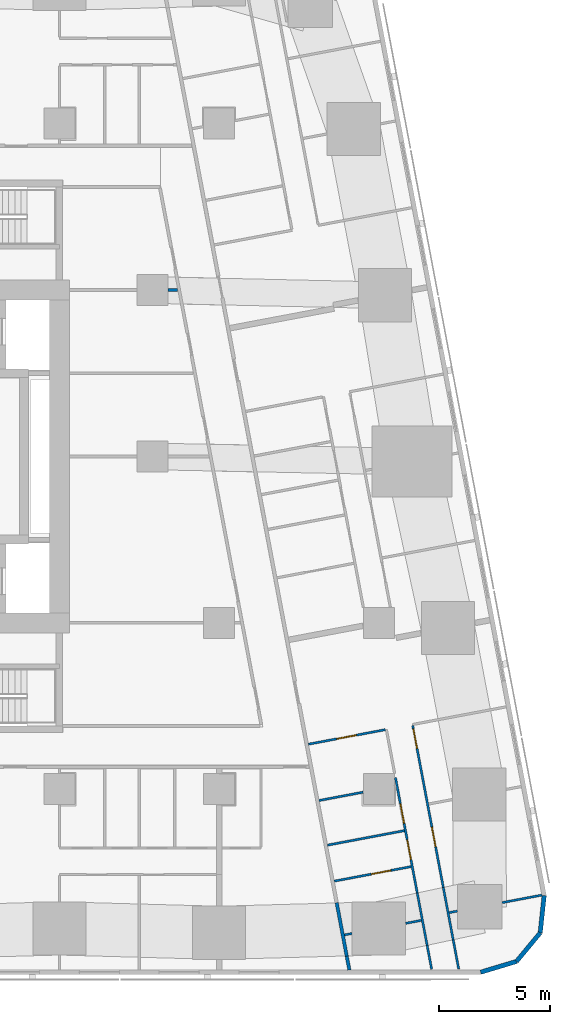
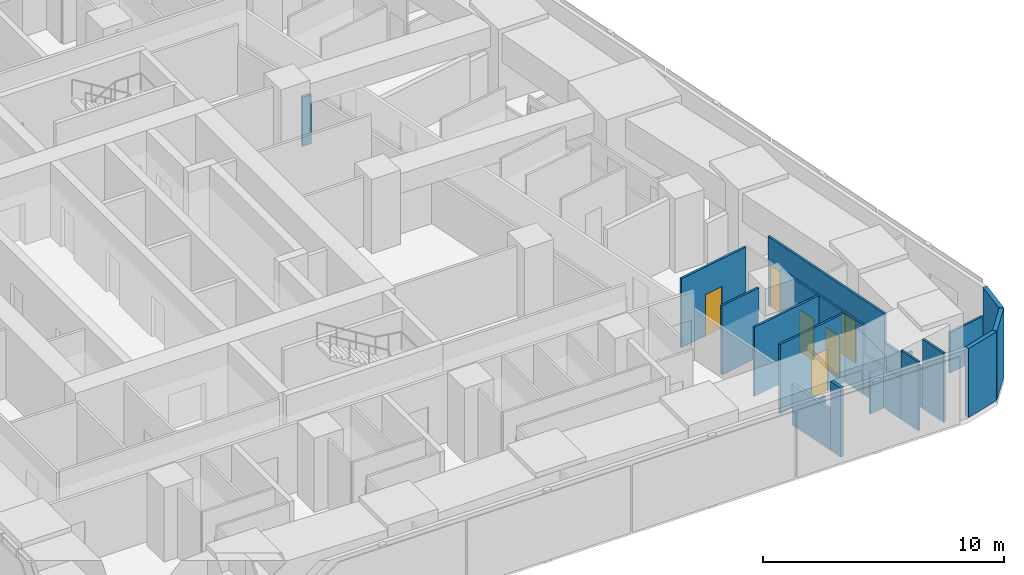
# One storey, part 10 of 17: 20 walls, 6 doors, 6 openings.
"""IFC4 building model written with IfcOpenShell, lengths in metres."""

from ifc_helpers import new_model, si_unit, direction, frame, frame_2d, origin, place, context, subcontext, project, spatial, rectangle, extrude, material, layer, layer_set, type_object, element, fill, save


model = new_model("IFC4")

# Units and contexts
model_context = context("Model", 3, precision=1e-05, world=origin(), true_north=direction((0.0, 1.0)))
body_context = subcontext(model_context, "Body", "Model", "MODEL_VIEW")
ifc_project = project(units=[si_unit("LENGTHUNIT", "METRE"), si_unit("AREAUNIT", "SQUARE_METRE"), si_unit("VOLUMEUNIT", "CUBIC_METRE"), si_unit("PLANEANGLEUNIT", "RADIAN"), si_unit("MASSUNIT", "GRAM", prefix="KILO")], contexts=[model_context])

# Site, building, storey
site_placement = place(None, origin())
site = spatial("IfcSite", under=ifc_project, at=site_placement, CompositionType="ELEMENT")
building_placement = place(site_placement, origin())
building = spatial("IfcBuilding", under=site, at=building_placement, Name="Sheger Commons Tower", CompositionType="ELEMENT")
storey_placement = place(building_placement, frame((0.0, 0.0, 212.449951171875)))
storey = spatial("IfcBuildingStorey", under=building, at=storey_placement, Name="L54", CompositionType="ELEMENT", Elevation=212.449951171875)

# Walls
ifc_material_1 = material(Name="Hollow concrete block masonry, skimmed both sides", Category="masonry")
ifc_layer_1 = layer(ifc_material_1, 0.14990234375)
ifc_layer_set_1 = layer_set([ifc_layer_1], Name="CORRIDOR WALL 150")
wall_type_1 = type_object("IfcWallType", Name="CORRIDOR WALL 150", PredefinedType="SOLIDWALL", material=ifc_layer_set_1)
wall_1_placement = place(storey_placement, frame((41.299072265625, 2.385009765625, 0.0), z_axis=(0.0, 0.0, 1.0), x_axis=(0.18529731833, -0.982682504077, 0.0)))
element("IfcWall", 1, at=wall_1_placement, inside=storey, type_object=wall_type_1, Name="Corridor wall L54", PredefinedType="SOLIDWALL", context=body_context, shape_type="SweptSolid", body=[
    extrude(rectangle(XDim=2.45458984375, YDim=0.14990234375, at=frame_2d((1.227294921875, 0.0))), origin(), (0.0, 0.0, 1.0), 2.050048828125),
])
wall_2_placement = place(storey_placement, frame((41.75390625, -0.027099609375, 0.0), z_axis=(0.0, 0.0, 1.0), x_axis=(0.186404157015, -0.982473149886, 0.0)))
element("IfcWall", 2, at=wall_2_placement, inside=storey, type_object=wall_type_1, Name="Corridor wall L54", PredefinedType="SOLIDWALL", context=body_context, shape_type="SweptSolid", body=[
    extrude(rectangle(XDim=0.634033203125, YDim=0.14990234375, at=frame_2d((0.31689453125, 0.0))), origin(), (0.0, 0.0, 1.0), 3.5),
])
ifc_material_2 = material(Name="Rendered concrete block masonry, dark grey", Category="masonry")
ifc_layer_2 = layer(ifc_material_2, 0.199951171875)
ifc_layer_set_2 = layer_set([ifc_layer_2], Name="FACADE WALL 200")
wall_type_2 = type_object("IfcWallType", Name="FACADE WALL 200", PredefinedType="SOLIDWALL", material=ifc_layer_set_2)
wall_3_placement = place(storey_placement, frame((47.791015625, -0.75, 0.0), z_axis=(0.0, 0.0, 1.0), x_axis=(0.957455232626, 0.288581838509, 0.0)))
element("IfcWall", 3, at=wall_3_placement, inside=storey, type_object=wall_type_2, Name="Facade wall L54", PredefinedType="SOLIDWALL", context=body_context, shape_type="SweptSolid", body=[
    extrude(rectangle(XDim=1.687744140625, YDim=0.199951171875, at=frame_2d((0.84375, 0.0))), origin(), (0.0, 0.0, 1.0), 3.5),
])
wall_4_placement = place(storey_placement, frame((49.406982421875, -0.262939453125, 0.0), z_axis=(0.0, 0.0, 1.0), x_axis=(0.638042593423, 0.770001070764, 0.0)))
element("IfcWall", 4, at=wall_4_placement, inside=storey, type_object=wall_type_2, Name="Facade wall L54", PredefinedType="SOLIDWALL", context=body_context, shape_type="SweptSolid", body=[
    extrude(rectangle(XDim=1.672607421875, YDim=0.199951171875, at=frame_2d((0.83642578125, 0.0))), origin(), (0.0, 0.0, 1.0), 3.5),
])
wall_5_placement = place(storey_placement, frame((50.47412109375, 1.02490234375, 0.0), z_axis=(0.0, 0.0, 1.0), x_axis=(0.106047815515, 0.994361031429, 0.0)))
element("IfcWall", 5, at=wall_5_placement, inside=storey, type_object=wall_type_2, Name="Facade wall L54", PredefinedType="SOLIDWALL", context=body_context, shape_type="SweptSolid", body=[
    extrude(rectangle(XDim=1.6875, YDim=0.199951171875, at=frame_2d((0.84375, 0.0))), origin(), (0.0, 0.0, 1.0), 3.5),
])

# Wall, openings, doors
ifc_material_3 = material(Name="Gypsum board on steel studs", Category="steel")
ifc_layer_3 = layer(ifc_material_3, 0.10009765625)
ifc_layer_set_3 = layer_set([ifc_layer_3], Name="PARTITION 100")
wall_type_3 = type_object("IfcWallType", Name="PARTITION 100", PredefinedType="PARTITIONING", material=ifc_layer_set_3)
wall_6_placement = place(storey_placement, frame((44.72705078125, 10.365966796875, 0.0), z_axis=(0.0, 0.0, 1.0), x_axis=(0.185678775129, -0.982610498858, 0.0)))
wall_6 = element("IfcWall", 6, at=wall_6_placement, inside=storey, type_object=wall_type_3, Name="Partition L54", PredefinedType="PARTITIONING", context=body_context, shape_type="SweptSolid", body=[
    extrude(rectangle(XDim=7.421142578125, YDim=0.10009765625, at=frame_2d((3.71044921875, 0.0))), origin(), (0.0, 0.0, 1.0), 3.5),
])
opening_1_placement = place(wall_6_placement, frame((0.15087890625, 0.0, 0.0)))
opening_1 = element("IfcOpeningElement", 7, at=opening_1_placement, cuts=wall_6, Name="Opening D2", PredefinedType="OPENING", context=body_context, shape_type="SweptSolid", body=[
    extrude(rectangle(XDim=0.89990234375, YDim=2.10009765625, at=frame_2d((0.449951171875, 1.050048828125))), frame((0.0, 0.06005859375, 0.0), z_axis=(0.0, -1.0, 0.0), x_axis=(1.0, 0.0, 0.0)), (0.0, 0.0, 1.0), 0.1201171875),
])
opening_2_placement = place(wall_6_placement, frame((4.64990234375, 0.0, 0.0)))
opening_2 = element("IfcOpeningElement", 8, at=opening_2_placement, cuts=wall_6, Name="Opening D2", PredefinedType="OPENING", context=body_context, shape_type="SweptSolid", body=[
    extrude(rectangle(XDim=0.89990234375, YDim=2.10009765625, at=frame_2d((0.449951171875, 1.050048828125))), frame((0.0, 0.06005859375, 0.0), z_axis=(0.0, -1.0, 0.0), x_axis=(1.0, 0.0, 0.0)), (0.0, 0.0, 1.0), 0.1201171875),
])
ifc_material_4 = material(Name="Timber door set", Category="wood")
door_type = type_object("IfcDoorType", Name="INTERNAL DOOR 900x2100", OperationType="NOTDEFINED", PredefinedType="DOOR", material=ifc_material_4)
door_1_placement = place(opening_1_placement, origin())
door_1 = element("IfcDoor", 9, at=door_1_placement, inside=storey, type_object=door_type, Name="Main bedroom door", OperationType="SINGLE_SWING_LEFT", OverallHeight=2.10009765625, OverallWidth=0.89990234375, PredefinedType="DOOR", context=body_context, shape_type="SweptSolid", body=[
    extrude(rectangle(XDim=0.89990234375, YDim=2.10009765625, at=frame_2d((0.449951171875, 1.050048828125))), frame((0.0, 0.02490234375, 0.0), z_axis=(0.0, -1.0, 0.0), x_axis=(1.0, 0.0, 0.0)), (0.0, 0.0, 1.0), 0.050048828125),
])
fill(opening_1, door_1)
door_2_placement = place(opening_2_placement, origin())
door_2 = element("IfcDoor", 10, at=door_2_placement, inside=storey, type_object=door_type, Name="Bedroom 2 door", OperationType="SINGLE_SWING_LEFT", OverallHeight=2.10009765625, OverallWidth=0.89990234375, PredefinedType="DOOR", context=body_context, shape_type="SweptSolid", body=[
    extrude(rectangle(XDim=0.89990234375, YDim=2.10009765625, at=frame_2d((0.449951171875, 1.050048828125))), frame((0.0, 0.02490234375, 0.0), z_axis=(0.0, -1.0, 0.0), x_axis=(1.0, 0.0, 0.0)), (0.0, 0.0, 1.0), 0.050048828125),
])
fill(opening_2, door_2)

# Walls
wall_7_placement = place(storey_placement, frame((46.10498046875, 3.073974609375, 0.0), z_axis=(0.0, 0.0, 1.0), x_axis=(0.185631845838, -0.982619365681, 0.0)))
element("IfcWall", 11, at=wall_7_placement, inside=storey, type_object=wall_type_3, Name="Partition L54", PredefinedType="PARTITIONING", context=body_context, shape_type="SweptSolid", body=[
    extrude(rectangle(XDim=2.40283203125, YDim=0.10009765625, at=frame_2d((1.201416015625, 0.0))), origin(), (0.0, 0.0, 1.0), 2.050048828125),
])
wall_8_placement = place(storey_placement, frame((46.551025390625, 0.712890625, 0.0), z_axis=(0.0, 0.0, 1.0), x_axis=(0.185407859198, -0.982661653748, 0.0)))
element("IfcWall", 12, at=wall_8_placement, inside=storey, type_object=wall_type_3, Name="Partition L54", PredefinedType="PARTITIONING", context=body_context, shape_type="SweptSolid", body=[
    extrude(rectangle(XDim=1.343017578125, YDim=0.10009765625, at=frame_2d((0.67138671875, 0.0))), origin(), (0.0, 0.0, 1.0), 3.5),
])

# Wall, openings, doors
wall_9_placement = place(storey_placement, frame((43.948974609375, 8.02001953125, 0.0), z_axis=(0.0, 0.0, 1.0), x_axis=(0.185656792073, -0.982614652627, 0.0)))
wall_9 = element("IfcWall", 13, at=wall_9_placement, inside=storey, type_object=wall_type_3, Name="Partition L54", PredefinedType="PARTITIONING", context=body_context, shape_type="SweptSolid", body=[
    extrude(rectangle(XDim=5.2890625, YDim=0.10009765625, at=frame_2d((2.64453125, 0.0))), origin(), (0.0, 0.0, 1.0), 3.5),
])
opening_3_placement = place(wall_9_placement, frame((1.199951171875, 0.0, 0.0)))
opening_3 = element("IfcOpeningElement", 14, at=opening_3_placement, cuts=wall_9, Name="Opening D2", PredefinedType="OPENING", context=body_context, shape_type="SweptSolid", body=[
    extrude(rectangle(XDim=0.89990234375, YDim=2.10009765625, at=frame_2d((0.449951171875, 1.050048828125))), frame((0.0, 0.06005859375, 0.0), z_axis=(0.0, -1.0, 0.0), x_axis=(1.0, 0.0, 0.0)), (0.0, 0.0, 1.0), 0.1201171875),
])
opening_4_placement = place(wall_9_placement, frame((2.85498046875, 0.0, 0.0)))
opening_4 = element("IfcOpeningElement", 15, at=opening_4_placement, cuts=wall_9, Name="Opening D2", PredefinedType="OPENING", context=body_context, shape_type="SweptSolid", body=[
    extrude(rectangle(XDim=0.89990234375, YDim=2.10009765625, at=frame_2d((0.449951171875, 1.050048828125))), frame((0.0, 0.06005859375, 0.0), z_axis=(0.0, -1.0, 0.0), x_axis=(1.0, 0.0, 0.0)), (0.0, 0.0, 1.0), 0.1201171875),
])
door_3_placement = place(opening_3_placement, origin())
door_3 = element("IfcDoor", 16, at=door_3_placement, inside=storey, type_object=door_type, Name="Bathroom door", OperationType="SINGLE_SWING_LEFT", OverallHeight=2.10009765625, OverallWidth=0.89990234375, PredefinedType="DOOR", context=body_context, shape_type="SweptSolid", body=[
    extrude(rectangle(XDim=0.89990234375, YDim=2.10009765625, at=frame_2d((0.449951171875, 1.050048828125))), frame((0.0, 0.02490234375, 0.0), z_axis=(0.0, -1.0, 0.0), x_axis=(1.0, 0.0, 0.0)), (0.0, 0.0, 1.0), 0.050048828125),
])
fill(opening_3, door_3)
door_4_placement = place(opening_4_placement, origin())
door_4 = element("IfcDoor", 17, at=door_4_placement, inside=storey, type_object=door_type, Name="Store door", OperationType="SINGLE_SWING_LEFT", OverallHeight=2.10009765625, OverallWidth=0.89990234375, PredefinedType="DOOR", context=body_context, shape_type="SweptSolid", body=[
    extrude(rectangle(XDim=0.89990234375, YDim=2.10009765625, at=frame_2d((0.449951171875, 1.050048828125))), frame((0.0, 0.02490234375, 0.0), z_axis=(0.0, -1.0, 0.0), x_axis=(1.0, 0.0, 0.0)), (0.0, 0.0, 1.0), 0.050048828125),
])
fill(opening_4, door_4)

# Walls
wall_10_placement = place(storey_placement, frame((44.930908203125, 2.822998046875, 0.0), z_axis=(0.0, 0.0, 1.0), x_axis=(0.185631845838, -0.982619365681, 0.0)))
element("IfcWall", 18, at=wall_10_placement, inside=storey, type_object=wall_type_3, Name="Partition L54", PredefinedType="PARTITIONING", context=body_context, shape_type="SweptSolid", body=[
    extrude(rectangle(XDim=2.40283203125, YDim=0.10009765625, at=frame_2d((1.201416015625, 0.0))), origin(), (0.0, 0.0, 1.0), 2.050048828125),
])
wall_11_placement = place(storey_placement, frame((45.376953125, 0.4619140625, 0.0), z_axis=(0.0, 0.0, 1.0), x_axis=(0.185513480919, -0.982641719243, 0.0)))
element("IfcWall", 19, at=wall_11_placement, inside=storey, type_object=wall_type_3, Name="Partition L54", PredefinedType="PARTITIONING", context=body_context, shape_type="SweptSolid", body=[
    extrude(rectangle(XDim=1.094970703125, YDim=0.10009765625, at=frame_2d((0.54736328125, 0.0))), origin(), (0.0, 0.0, 1.0), 3.5),
])
wall_12_placement = place(storey_placement, frame((50.547119140625, 2.72607421875, 0.0), z_axis=(0.0, 0.0, 1.0), x_axis=(-0.982603988143, -0.185713226471, 0.0)))
element("IfcWall", 20, at=wall_12_placement, inside=storey, type_object=wall_type_3, Name="Partition L54", PredefinedType="PARTITIONING", context=body_context, shape_type="SweptSolid", body=[
    extrude(rectangle(XDim=1.82080078125, YDim=0.10009765625, at=frame_2d((0.910400390625, 0.0))), origin(), (0.0, 0.0, 1.0), 2.050048828125),
])
wall_13_placement = place(storey_placement, frame((46.738037109375, 2.006103515625, 0.0), z_axis=(0.0, 0.0, 1.0), x_axis=(-0.982820466874, -0.184564161994, 0.0)))
element("IfcWall", 21, at=wall_13_placement, inside=storey, type_object=wall_type_3, Name="Partition L54", PredefinedType="PARTITIONING", context=body_context, shape_type="SweptSolid", body=[
    extrude(rectangle(XDim=0.374267578125, YDim=0.10009765625, at=frame_2d((0.18701171875, 0.0))), origin(), (0.0, 0.0, 1.0), 2.050048828125),
])

# Wall, opening, door
wall_14_placement = place(storey_placement, frame((43.489990234375, 10.18310546875, 0.0), z_axis=(0.0, 0.0, 1.0), x_axis=(-0.982588017646, -0.185797706064, 0.0)))
wall_14 = element("IfcWall", 22, at=wall_14_placement, inside=storey, type_object=wall_type_3, Name="Partition L54", PredefinedType="PARTITIONING", context=body_context, shape_type="SweptSolid", body=[
    extrude(rectangle(XDim=3.525390625, YDim=0.10009765625, at=frame_2d((1.7626953125, 0.0))), origin(), (0.0, 0.0, 1.0), 3.5),
])
opening_5_placement = place(wall_14_placement, frame((1.324951171875, 0.0, 0.0)))
opening_5 = element("IfcOpeningElement", 23, at=opening_5_placement, cuts=wall_14, Name="Opening D2", PredefinedType="OPENING", context=body_context, shape_type="SweptSolid", body=[
    extrude(rectangle(XDim=0.89990234375, YDim=2.10009765625, at=frame_2d((0.449951171875, 1.050048828125))), frame((0.0, 0.06005859375, 0.0), z_axis=(0.0, -1.0, 0.0), x_axis=(1.0, 0.0, 0.0)), (0.0, 0.0, 1.0), 0.1201171875),
])
door_5_placement = place(opening_5_placement, origin())
door_5 = element("IfcDoor", 24, at=door_5_placement, inside=storey, type_object=door_type, Name="Store door", OperationType="SINGLE_SWING_LEFT", OverallHeight=2.10009765625, OverallWidth=0.89990234375, PredefinedType="DOOR", context=body_context, shape_type="SweptSolid", body=[
    extrude(rectangle(XDim=0.89990234375, YDim=2.10009765625, at=frame_2d((0.449951171875, 1.050048828125))), frame((0.0, 0.02490234375, 0.0), z_axis=(0.0, -1.0, 0.0), x_axis=(1.0, 0.0, 0.0)), (0.0, 0.0, 1.0), 0.050048828125),
])
fill(opening_5, door_5)

# Walls
wall_15_placement = place(storey_placement, frame((42.489990234375, 7.365966796875, 0.0), z_axis=(0.0, 0.0, 1.0), x_axis=(-0.982620917875, -0.185623629302, 0.0)))
element("IfcWall", 25, at=wall_15_placement, inside=storey, type_object=wall_type_3, Name="Partition L54", PredefinedType="PARTITIONING", context=body_context, shape_type="SweptSolid", body=[
    extrude(rectangle(XDim=2.020263671875, YDim=0.10009765625, at=frame_2d((1.01025390625, 0.0))), origin(), (0.0, 0.0, 1.0), 3.5),
])
wall_16_placement = place(storey_placement, frame((45.114013671875, 1.5869140625, 0.0), z_axis=(0.0, 0.0, 1.0), x_axis=(-0.982671022916, -0.185358195723, 0.0)))
element("IfcWall", 26, at=wall_16_placement, inside=storey, type_object=wall_type_3, Name="Partition L54", PredefinedType="PARTITIONING", context=body_context, shape_type="SweptSolid", body=[
    extrude(rectangle(XDim=0.716552734375, YDim=0.10009765625, at=frame_2d((0.3583984375, 0.0))), origin(), (0.0, 0.0, 1.0), 2.050048828125),
])
wall_17_placement = place(storey_placement, frame((41.989990234375, 0.99609375, 0.0), z_axis=(0.0, 0.0, 1.0), x_axis=(-0.982639822555, -0.185523527159, 0.0)))
element("IfcWall", 27, at=wall_17_placement, inside=storey, type_object=wall_type_3, Name="Partition L54", PredefinedType="PARTITIONING", context=body_context, shape_type="SweptSolid", body=[
    extrude(rectangle(XDim=0.34619140625, YDim=0.10009765625, at=frame_2d((0.173095703125, 0.0))), origin(), (0.0, 0.0, 1.0), 2.050048828125),
])
wall_18_placement = place(storey_placement, frame((44.35009765625, 5.631103515625, 0.0), z_axis=(0.0, 0.0, 1.0), x_axis=(-0.982638553676, -0.185530247748, 0.0)))
element("IfcWall", 28, at=wall_18_placement, inside=storey, type_object=wall_type_3, Name="Partition L54", PredefinedType="PARTITIONING", context=body_context, shape_type="SweptSolid", body=[
    extrude(rectangle(XDim=3.525390625, YDim=0.10009765625, at=frame_2d((1.7626953125, 0.0))), origin(), (0.0, 0.0, 1.0), 3.5),
])

# Wall, opening, door
wall_19_placement = place(storey_placement, frame((41.19189453125, 3.35595703125, 0.0), z_axis=(0.0, 0.0, 1.0), x_axis=(0.982588017646, 0.185797706064, 0.0)))
wall_19 = element("IfcWall", 29, at=wall_19_placement, inside=storey, type_object=wall_type_3, Name="Partition L54", PredefinedType="PARTITIONING", context=body_context, shape_type="SweptSolid", body=[
    extrude(rectangle(XDim=3.525390625, YDim=0.10009765625, at=frame_2d((1.7626953125, 0.0))), origin(), (0.0, 0.0, 1.0), 3.5),
])
opening_6_placement = place(wall_19_placement, frame((1.699951171875, 0.0, 0.0)))
opening_6 = element("IfcOpeningElement", 30, at=opening_6_placement, cuts=wall_19, Name="Opening D2", PredefinedType="OPENING", context=body_context, shape_type="SweptSolid", body=[
    extrude(rectangle(XDim=0.89990234375, YDim=2.10009765625, at=frame_2d((0.449951171875, 1.050048828125))), frame((0.0, 0.06005859375, 0.0), z_axis=(0.0, -1.0, 0.0), x_axis=(1.0, 0.0, 0.0)), (0.0, 0.0, 1.0), 0.1201171875),
])
door_6_placement = place(opening_6_placement, origin())
door_6 = element("IfcDoor", 31, at=door_6_placement, inside=storey, type_object=door_type, Name="Store door", OperationType="SINGLE_SWING_RIGHT", OverallHeight=2.10009765625, OverallWidth=0.89990234375, PredefinedType="DOOR", context=body_context, shape_type="SweptSolid", body=[
    extrude(rectangle(XDim=0.89990234375, YDim=2.10009765625, at=frame_2d((0.449951171875, 1.050048828125))), frame((0.0, 0.02490234375, 0.0), z_axis=(0.0, -1.0, 0.0), x_axis=(1.0, 0.0, 0.0)), (0.0, 0.0, 1.0), 0.050048828125),
])
fill(opening_6, door_6)

# Wall
ifc_material_5 = material(Name="Gypsum board on steel studs, two layers each side, fire rated", Category="steel")
ifc_layer_4 = layer(ifc_material_5, 0.125)
ifc_layer_set_4 = layer_set([ifc_layer_4], Name="SERVICE WALL 125")
wall_type_4 = type_object("IfcWallType", Name="SERVICE WALL 125", PredefinedType="PARTITIONING", material=ifc_layer_set_4)
wall_20_placement = place(storey_placement, frame((33.700927734375, 30.0, 0.0), z_axis=(0.0, 0.0, 1.0), x_axis=(1.0, 0.0, 0.0)))
element("IfcWall", 32, at=wall_20_placement, inside=storey, type_object=wall_type_4, Name="Service room wall L54", PredefinedType="PARTITIONING", context=body_context, shape_type="SweptSolid", body=[
    extrude(rectangle(XDim=0.424072265625, YDim=0.125, at=frame_2d((0.2119140625, 0.0))), origin(), (0.0, 0.0, 1.0), 2.5),
])

save(model, "model.ifc")
